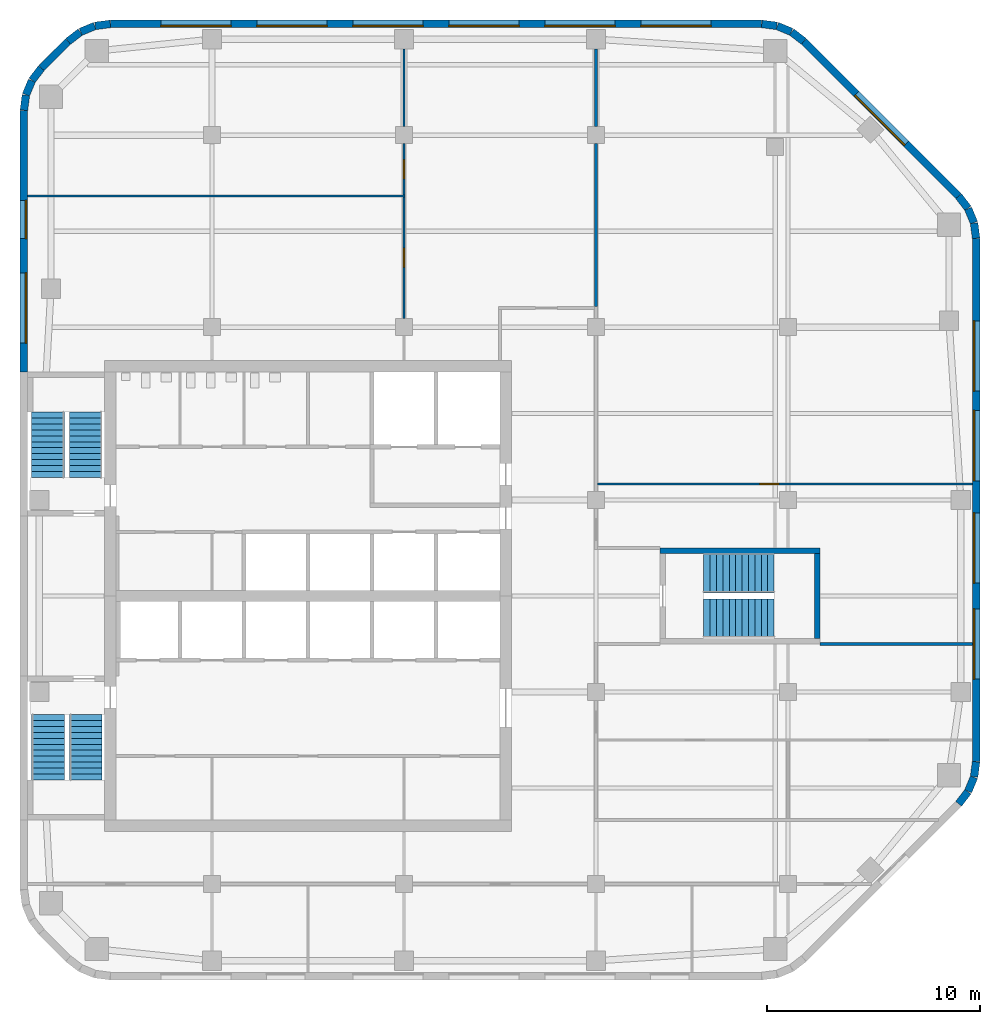
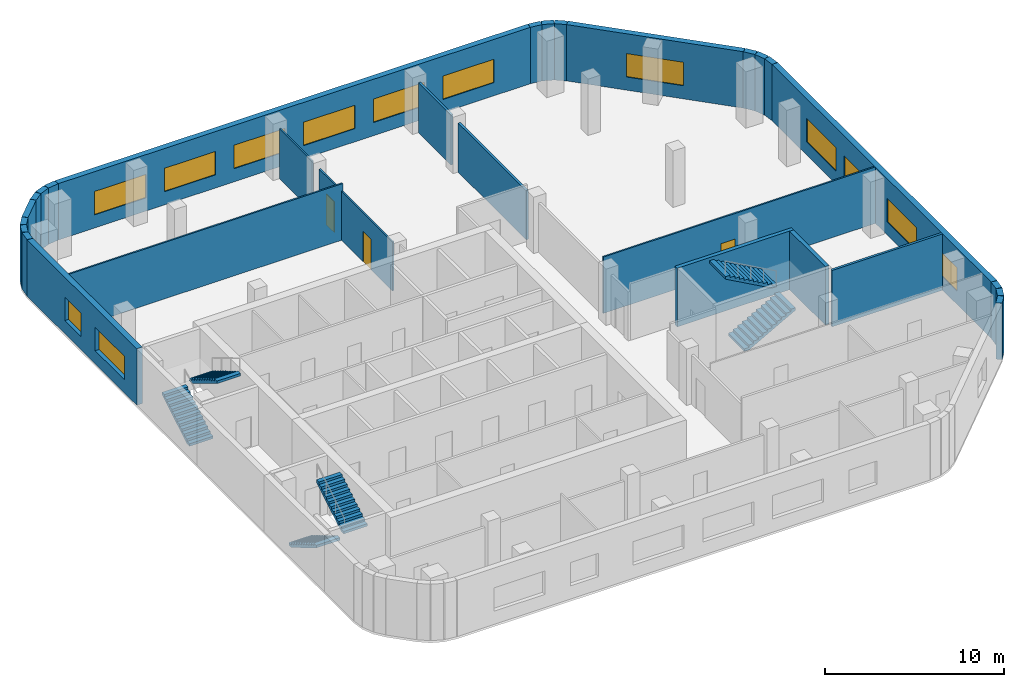
# One storey, part 5 of 7: 30 walls, 13 windows, 6 stair flights, 3 doors, 16 openings, 3 elements without a shape of their own.
"""IFC4 building model written with IfcOpenShell, lengths in metres."""

from ifc_helpers import new_model, si_unit, direction, frame, frame_2d, origin, place, context, subcontext, project, spatial, polyline, rectangle, outline, extrude, material, layer, layer_set, type_object, element, fill, aggregate, save


model = new_model("IFC4")

# Units and contexts
model_context = context("Model", 3, precision=1e-05, world=origin(), true_north=direction((0.0, 1.0)))
body_context = subcontext(model_context, "Body", "Model", "MODEL_VIEW")
ifc_project = project(units=[si_unit("LENGTHUNIT", "METRE"), si_unit("AREAUNIT", "SQUARE_METRE"), si_unit("VOLUMEUNIT", "CUBIC_METRE"), si_unit("PLANEANGLEUNIT", "RADIAN"), si_unit("MASSUNIT", "GRAM", prefix="KILO")], contexts=[model_context])

# Site, building, storey
site_placement = place(None, origin())
site = spatial("IfcSite", under=ifc_project, at=site_placement, CompositionType="ELEMENT")
building_placement = place(site_placement, origin())
building = spatial("IfcBuilding", under=site, at=building_placement, Name="Cinnabar Reach Civic Tower", CompositionType="ELEMENT")
storey_placement = place(building_placement, frame((0.0, 0.0, 218.0)))
storey = spatial("IfcBuildingStorey", under=building, at=storey_placement, Name="L52", CompositionType="ELEMENT", Elevation=218.0)

# Walls
ifc_material_1 = material(Name="Facing brick with insulated backing", Category="masonry")
ifc_layer_1 = layer(ifc_material_1, 0.36)
ifc_layer_set_1 = layer_set([ifc_layer_1], Name="Brick corner wall")
wall_type_1 = type_object("IfcWallType", Name="Brick corner wall", PredefinedType="STANDARD", material=ifc_layer_set_1)
wall_1_placement = place(storey_placement, frame((43.9998, 21.7587, 0.0), z_axis=(0.0, 0.0, 1.0), x_axis=(0.608802368033, 0.793321924995, 0.0)))
element("IfcWall", 1, at=wall_1_placement, inside=storey, type_object=wall_type_1, Name="Brick corner wall", PredefinedType="STANDARD", context=body_context, shape_type="SweptSolid", body=[
    extrude(rectangle(XDim=0.7132, YDim=0.36, at=frame_2d((0.3566, 0.0))), origin(), (0.0, 0.0, 1.0), 3.85),
])
for number, where, z_axis, x_axis, name in (
    (2, (44.4452, 22.3439, 0.0), (0.0, 0.0, 1.0), (0.382702709855, 0.923871547278, 0.0), "Brick corner wall"),
    (3, (44.7239, 23.0244, 0.0), (0.0, 0.0, 1.0), (0.13055608231, 0.99144092581, 0.0), "Brick corner wall"),
    (4, (44.817, 48.2686, 0.0), (0.0, 0.0, 1.0), (-0.13055608231, 0.99144092581, 0.0), "Brick corner wall"),
    (5, (44.7181, 48.9973, 0.0), (0.0, 0.0, 1.0), (-0.382702709855, 0.923871547278, 0.0), "Brick corner wall"),
):
    element("IfcWall", number, at=place(storey_placement, frame(where, z_axis=z_axis, x_axis=x_axis)), inside=storey, type_object=wall_type_1, Name=name, PredefinedType="STANDARD", context=body_context, shape_type="SweptSolid", body=[
        extrude(rectangle(XDim=0.7131, YDim=0.36, at=frame_2d((0.3565, 0.0))), origin(), (0.0, 0.0, 1.0), 3.85),
    ])
for number, where, z_axis, x_axis, name in (
    (6, (44.434, 49.6755, 0.0), (0.0, 0.0, 1.0), (-0.608802368033, 0.793321924995, 0.0), "Brick corner wall"),
    (7, (36.7413, 57.4998, 0.0), (0.0, 0.0, 1.0), (-0.793321924995, 0.608802368033, 0.0), "Brick corner wall"),
):
    element("IfcWall", number, at=place(storey_placement, frame(where, z_axis=z_axis, x_axis=x_axis)), inside=storey, type_object=wall_type_1, Name=name, PredefinedType="STANDARD", context=body_context, shape_type="SweptSolid", body=[
        extrude(rectangle(XDim=0.7132, YDim=0.36, at=frame_2d((0.3566, 0.0))), origin(), (0.0, 0.0, 1.0), 3.85),
    ])
for number, where, z_axis, x_axis, name in (
    (8, (36.1561, 57.9452, 0.0), (0.0, 0.0, 1.0), (-0.923871547278, 0.382702709855, 0.0), "Brick corner wall"),
    (9, (35.4756, 58.2239, 0.0), (0.0, 0.0, 1.0), (-0.99144092581, 0.13055608231, 0.0), "Brick corner wall"),
    (10, (4.2314, 58.317, 0.0), (0.0, 0.0, 1.0), (-0.99144092581, -0.13055608231, 0.0), "Brick corner wall"),
    (11, (3.5027, 58.2181, 0.0), (0.0, 0.0, 1.0), (-0.923871547278, -0.382702709855, 0.0), "Brick corner wall"),
):
    element("IfcWall", number, at=place(storey_placement, frame(where, z_axis=z_axis, x_axis=x_axis)), inside=storey, type_object=wall_type_1, Name=name, PredefinedType="STANDARD", context=body_context, shape_type="SweptSolid", body=[
        extrude(rectangle(XDim=0.7131, YDim=0.36, at=frame_2d((0.3565, 0.0))), origin(), (0.0, 0.0, 1.0), 3.85),
    ])
for number, where, z_axis, x_axis, name in (
    (12, (2.8245, 57.934, 0.0), (0.0, 0.0, 1.0), (-0.793321924995, -0.608802368033, 0.0), "Brick corner wall"),
    (13, (1.0002, 56.2413, 0.0), (0.0, 0.0, 1.0), (-0.608802368033, -0.793321924995, 0.0), "Brick corner wall"),
):
    element("IfcWall", number, at=place(storey_placement, frame(where, z_axis=z_axis, x_axis=x_axis)), inside=storey, type_object=wall_type_1, Name=name, PredefinedType="STANDARD", context=body_context, shape_type="SweptSolid", body=[
        extrude(rectangle(XDim=0.7132, YDim=0.36, at=frame_2d((0.3566, 0.0))), origin(), (0.0, 0.0, 1.0), 3.85),
    ])
for number, where, z_axis, x_axis, name in (
    (14, (0.5548, 55.6561, 0.0), (0.0, 0.0, 1.0), (-0.382702709855, -0.923871547278, 0.0), "Brick corner wall"),
    (15, (0.2761, 54.9756, 0.0), (0.0, 0.0, 1.0), (-0.13055608231, -0.99144092581, 0.0), "Brick corner wall"),
):
    element("IfcWall", number, at=place(storey_placement, frame(where, z_axis=z_axis, x_axis=x_axis)), inside=storey, type_object=wall_type_1, Name=name, PredefinedType="STANDARD", context=body_context, shape_type="SweptSolid", body=[
        extrude(rectangle(XDim=0.7131, YDim=0.36, at=frame_2d((0.3565, 0.0))), origin(), (0.0, 0.0, 1.0), 3.85),
    ])

# Wall, openings, windows
ifc_layer_2 = layer(ifc_material_1, 0.36)
ifc_layer_set_2 = layer_set([ifc_layer_2], Name="Brick pier and spandrel wall")
wall_type_2 = type_object("IfcWallType", Name="Brick pier and spandrel wall", PredefinedType="STANDARD", material=ifc_layer_set_2)
wall_2_placement = place(storey_placement, frame((44.82, 23.7426, 0.0), z_axis=(0.0, 0.0, 1.0), x_axis=(0.0, 1.0, 0.0)))
wall_2 = element("IfcWall", 16, at=wall_2_placement, inside=storey, type_object=wall_type_2, Name="Brick facade wall", PredefinedType="STANDARD", context=body_context, shape_type="SweptSolid", body=[
    extrude(rectangle(XDim=24.5148, YDim=0.36, at=frame_2d((12.2574, 0.0))), origin(), (0.0, 0.0, 1.0), 3.85),
])
opening_1_placement = place(wall_2_placement, frame((3.8574, 0.0, 0.9)))
opening_1 = element("IfcOpeningElement", 17, at=opening_1_placement, cuts=wall_2, Name="Opening W2067", PredefinedType="OPENING", context=body_context, shape_type="SweptSolid", body=[
    extrude(rectangle(XDim=3.3, YDim=1.6, at=frame_2d((1.65, 0.8))), frame((0.0, 0.19, 0.0), z_axis=(0.0, -1.0, 0.0), x_axis=(1.0, 0.0, 0.0)), (0.0, 0.0, 1.0), 0.38),
])
opening_2_placement = place(wall_2_placement, frame((8.3574, 0.0, 0.9)))
opening_2 = element("IfcOpeningElement", 18, at=opening_2_placement, cuts=wall_2, Name="Opening W2068", PredefinedType="OPENING", context=body_context, shape_type="SweptSolid", body=[
    extrude(rectangle(XDim=3.3, YDim=1.6, at=frame_2d((1.65, 0.8))), frame((0.0, 0.19, 0.0), z_axis=(0.0, -1.0, 0.0), x_axis=(1.0, 0.0, 0.0)), (0.0, 0.0, 1.0), 0.38),
])
opening_3_placement = place(wall_2_placement, frame((13.1574, 0.0, 0.9)))
opening_3 = element("IfcOpeningElement", 19, at=opening_3_placement, cuts=wall_2, Name="Opening W2069", PredefinedType="OPENING", context=body_context, shape_type="SweptSolid", body=[
    extrude(rectangle(XDim=3.3, YDim=1.6, at=frame_2d((1.65, 0.8))), frame((0.0, 0.19, 0.0), z_axis=(0.0, -1.0, 0.0), x_axis=(1.0, 0.0, 0.0)), (0.0, 0.0, 1.0), 0.38),
])
opening_4_placement = place(wall_2_placement, frame((17.3574, 0.0, 0.9)))
opening_4 = element("IfcOpeningElement", 20, at=opening_4_placement, cuts=wall_2, Name="Opening W2070", PredefinedType="OPENING", context=body_context, shape_type="SweptSolid", body=[
    extrude(rectangle(XDim=3.3, YDim=1.6, at=frame_2d((1.65, 0.8))), frame((0.0, 0.19, 0.0), z_axis=(0.0, -1.0, 0.0), x_axis=(1.0, 0.0, 0.0)), (0.0, 0.0, 1.0), 0.38),
])
ifc_material_2 = material(Name="Clear double glazing in aluminium frame", Category="aluminium")
window_type_1 = type_object("IfcWindowType", Name="Deep-set window A", PartitioningType="SINGLE_PANEL", PredefinedType="WINDOW", material=ifc_material_2)
window_1_placement = place(opening_1_placement, origin())
window_1 = element("IfcWindow", 21, at=window_1_placement, inside=storey, type_object=window_type_1, Name="Window east face", OverallHeight=1.6, OverallWidth=3.3, PartitioningType="SINGLE_PANEL", PredefinedType="WINDOW", context=body_context, shape_type="SweptSolid", body=[
    extrude(rectangle(XDim=3.3, YDim=1.6, at=frame_2d((1.65, 0.8))), frame((0.0, 0.13, 0.0), z_axis=(0.0, -1.0, 0.0), x_axis=(1.0, 0.0, 0.0)), (0.0, 0.0, 1.0), 0.06),
])
fill(opening_1, window_1)
window_2_placement = place(opening_2_placement, origin())
window_2 = element("IfcWindow", 22, at=window_2_placement, inside=storey, type_object=window_type_1, Name="Window east face", OverallHeight=1.6, OverallWidth=3.3, PartitioningType="SINGLE_PANEL", PredefinedType="WINDOW", context=body_context, shape_type="SweptSolid", body=[
    extrude(rectangle(XDim=3.3, YDim=1.6, at=frame_2d((1.65, 0.8))), frame((0.0, 0.13, 0.0), z_axis=(0.0, -1.0, 0.0), x_axis=(1.0, 0.0, 0.0)), (0.0, 0.0, 1.0), 0.06),
])
fill(opening_2, window_2)
window_3_placement = place(opening_3_placement, origin())
window_3 = element("IfcWindow", 23, at=window_3_placement, inside=storey, type_object=window_type_1, Name="Window east face", OverallHeight=1.6, OverallWidth=3.3, PartitioningType="SINGLE_PANEL", PredefinedType="WINDOW", context=body_context, shape_type="SweptSolid", body=[
    extrude(rectangle(XDim=3.3, YDim=1.6, at=frame_2d((1.65, 0.8))), frame((0.0, 0.13, 0.0), z_axis=(0.0, -1.0, 0.0), x_axis=(1.0, 0.0, 0.0)), (0.0, 0.0, 1.0), 0.06),
])
fill(opening_3, window_3)
window_4_placement = place(opening_4_placement, origin())
window_4 = element("IfcWindow", 24, at=window_4_placement, inside=storey, type_object=window_type_1, Name="Window east face", OverallHeight=1.6, OverallWidth=3.3, PartitioningType="SINGLE_PANEL", PredefinedType="WINDOW", context=body_context, shape_type="SweptSolid", body=[
    extrude(rectangle(XDim=3.3, YDim=1.6, at=frame_2d((1.65, 0.8))), frame((0.0, 0.13, 0.0), z_axis=(0.0, -1.0, 0.0), x_axis=(1.0, 0.0, 0.0)), (0.0, 0.0, 1.0), 0.06),
])
fill(opening_4, window_4)

# Wall, opening, window
wall_3_placement = place(storey_placement, frame((43.994, 50.2514, 0.0), z_axis=(0.0, 0.0, 1.0), x_axis=(-0.707106781187, 0.707106781187, 0.0)))
wall_3 = element("IfcWall", 25, at=wall_3_placement, inside=storey, type_object=wall_type_2, Name="Brick facade wall", PredefinedType="STANDARD", context=body_context, shape_type="SweptSolid", body=[
    extrude(rectangle(XDim=10.2426, YDim=0.36, at=frame_2d((5.1213, 0.0))), origin(), (0.0, 0.0, 1.0), 3.85),
])
opening_5_placement = place(wall_3_placement, frame((3.4713, 0.0, 0.9)))
opening_5 = element("IfcOpeningElement", 26, at=opening_5_placement, cuts=wall_3, Name="Opening W2071", PredefinedType="OPENING", context=body_context, shape_type="SweptSolid", body=[
    extrude(rectangle(XDim=3.3, YDim=1.6, at=frame_2d((1.65, 0.8))), frame((0.0, 0.19, 0.0), z_axis=(0.0, -1.0, 0.0), x_axis=(1.0, 0.0, 0.0)), (0.0, 0.0, 1.0), 0.38),
])
window_5_placement = place(opening_5_placement, origin())
window_5 = element("IfcWindow", 27, at=window_5_placement, inside=storey, type_object=window_type_1, Name="Window northeast face", OverallHeight=1.6, OverallWidth=3.3, PartitioningType="SINGLE_PANEL", PredefinedType="WINDOW", context=body_context, shape_type="SweptSolid", body=[
    extrude(rectangle(XDim=3.3, YDim=1.6, at=frame_2d((1.65, 0.8))), frame((0.0, 0.13, 0.0), z_axis=(0.0, -1.0, 0.0), x_axis=(1.0, 0.0, 0.0)), (0.0, 0.0, 1.0), 0.06),
])
fill(opening_5, window_5)

# Wall, openings, windows
wall_4_placement = place(storey_placement, frame((34.7574, 58.32, 0.0), z_axis=(0.0, 0.0, 1.0), x_axis=(-1.0, 0.0, 0.0)))
wall_4 = element("IfcWall", 28, at=wall_4_placement, inside=storey, type_object=wall_type_2, Name="Brick facade wall", PredefinedType="STANDARD", context=body_context, shape_type="SweptSolid", body=[
    extrude(rectangle(XDim=30.5148, YDim=0.36, at=frame_2d((15.2574, 0.0))), origin(), (0.0, 0.0, 1.0), 3.85),
])
opening_6_placement = place(wall_4_placement, frame((2.3574, 0.0, 0.9)))
opening_6 = element("IfcOpeningElement", 29, at=opening_6_placement, cuts=wall_4, Name="Opening W2072", PredefinedType="OPENING", context=body_context, shape_type="SweptSolid", body=[
    extrude(rectangle(XDim=3.3, YDim=1.6, at=frame_2d((1.65, 0.8))), frame((0.0, 0.19, 0.0), z_axis=(0.0, -1.0, 0.0), x_axis=(1.0, 0.0, 0.0)), (0.0, 0.0, 1.0), 0.38),
])
opening_7_placement = place(wall_4_placement, frame((6.8574, 0.0, 0.9)))
opening_7 = element("IfcOpeningElement", 30, at=opening_7_placement, cuts=wall_4, Name="Opening W2073", PredefinedType="OPENING", context=body_context, shape_type="SweptSolid", body=[
    extrude(rectangle(XDim=3.3, YDim=1.6, at=frame_2d((1.65, 0.8))), frame((0.0, 0.19, 0.0), z_axis=(0.0, -1.0, 0.0), x_axis=(1.0, 0.0, 0.0)), (0.0, 0.0, 1.0), 0.38),
])
opening_8_placement = place(wall_4_placement, frame((11.3574, 0.0, 0.9)))
opening_8 = element("IfcOpeningElement", 31, at=opening_8_placement, cuts=wall_4, Name="Opening W2074", PredefinedType="OPENING", context=body_context, shape_type="SweptSolid", body=[
    extrude(rectangle(XDim=3.3, YDim=1.6, at=frame_2d((1.65, 0.8))), frame((0.0, 0.19, 0.0), z_axis=(0.0, -1.0, 0.0), x_axis=(1.0, 0.0, 0.0)), (0.0, 0.0, 1.0), 0.38),
])
opening_9_placement = place(wall_4_placement, frame((15.8574, 0.0, 0.9)))
opening_9 = element("IfcOpeningElement", 32, at=opening_9_placement, cuts=wall_4, Name="Opening W2075", PredefinedType="OPENING", context=body_context, shape_type="SweptSolid", body=[
    extrude(rectangle(XDim=3.3, YDim=1.6, at=frame_2d((1.65, 0.8))), frame((0.0, 0.19, 0.0), z_axis=(0.0, -1.0, 0.0), x_axis=(1.0, 0.0, 0.0)), (0.0, 0.0, 1.0), 0.38),
])
opening_10_placement = place(wall_4_placement, frame((20.3574, 0.0, 0.9)))
opening_10 = element("IfcOpeningElement", 33, at=opening_10_placement, cuts=wall_4, Name="Opening W2076", PredefinedType="OPENING", context=body_context, shape_type="SweptSolid", body=[
    extrude(rectangle(XDim=3.3, YDim=1.6, at=frame_2d((1.65, 0.8))), frame((0.0, 0.19, 0.0), z_axis=(0.0, -1.0, 0.0), x_axis=(1.0, 0.0, 0.0)), (0.0, 0.0, 1.0), 0.38),
])
opening_11_placement = place(wall_4_placement, frame((24.8574, 0.0, 0.9)))
opening_11 = element("IfcOpeningElement", 34, at=opening_11_placement, cuts=wall_4, Name="Opening W2077", PredefinedType="OPENING", context=body_context, shape_type="SweptSolid", body=[
    extrude(rectangle(XDim=3.3, YDim=1.6, at=frame_2d((1.65, 0.8))), frame((0.0, 0.19, 0.0), z_axis=(0.0, -1.0, 0.0), x_axis=(1.0, 0.0, 0.0)), (0.0, 0.0, 1.0), 0.38),
])
window_6_placement = place(opening_6_placement, origin())
window_6 = element("IfcWindow", 35, at=window_6_placement, inside=storey, type_object=window_type_1, Name="Window north face", OverallHeight=1.6, OverallWidth=3.3, PartitioningType="SINGLE_PANEL", PredefinedType="WINDOW", context=body_context, shape_type="SweptSolid", body=[
    extrude(rectangle(XDim=3.3, YDim=1.6, at=frame_2d((1.65, 0.8))), frame((0.0, 0.13, 0.0), z_axis=(0.0, -1.0, 0.0), x_axis=(1.0, 0.0, 0.0)), (0.0, 0.0, 1.0), 0.06),
])
fill(opening_6, window_6)
window_7_placement = place(opening_7_placement, origin())
window_7 = element("IfcWindow", 36, at=window_7_placement, inside=storey, type_object=window_type_1, Name="Window north face", OverallHeight=1.6, OverallWidth=3.3, PartitioningType="SINGLE_PANEL", PredefinedType="WINDOW", context=body_context, shape_type="SweptSolid", body=[
    extrude(rectangle(XDim=3.3, YDim=1.6, at=frame_2d((1.65, 0.8))), frame((0.0, 0.13, 0.0), z_axis=(0.0, -1.0, 0.0), x_axis=(1.0, 0.0, 0.0)), (0.0, 0.0, 1.0), 0.06),
])
fill(opening_7, window_7)
window_8_placement = place(opening_8_placement, origin())
window_8 = element("IfcWindow", 37, at=window_8_placement, inside=storey, type_object=window_type_1, Name="Window north face", OverallHeight=1.6, OverallWidth=3.3, PartitioningType="SINGLE_PANEL", PredefinedType="WINDOW", context=body_context, shape_type="SweptSolid", body=[
    extrude(rectangle(XDim=3.3, YDim=1.6, at=frame_2d((1.65, 0.8))), frame((0.0, 0.13, 0.0), z_axis=(0.0, -1.0, 0.0), x_axis=(1.0, 0.0, 0.0)), (0.0, 0.0, 1.0), 0.06),
])
fill(opening_8, window_8)
window_9_placement = place(opening_9_placement, origin())
window_9 = element("IfcWindow", 38, at=window_9_placement, inside=storey, type_object=window_type_1, Name="Window north face", OverallHeight=1.6, OverallWidth=3.3, PartitioningType="SINGLE_PANEL", PredefinedType="WINDOW", context=body_context, shape_type="SweptSolid", body=[
    extrude(rectangle(XDim=3.3, YDim=1.6, at=frame_2d((1.65, 0.8))), frame((0.0, 0.13, 0.0), z_axis=(0.0, -1.0, 0.0), x_axis=(1.0, 0.0, 0.0)), (0.0, 0.0, 1.0), 0.06),
])
fill(opening_9, window_9)
window_10_placement = place(opening_10_placement, origin())
window_10 = element("IfcWindow", 39, at=window_10_placement, inside=storey, type_object=window_type_1, Name="Window north face", OverallHeight=1.6, OverallWidth=3.3, PartitioningType="SINGLE_PANEL", PredefinedType="WINDOW", context=body_context, shape_type="SweptSolid", body=[
    extrude(rectangle(XDim=3.3, YDim=1.6, at=frame_2d((1.65, 0.8))), frame((0.0, 0.13, 0.0), z_axis=(0.0, -1.0, 0.0), x_axis=(1.0, 0.0, 0.0)), (0.0, 0.0, 1.0), 0.06),
])
fill(opening_10, window_10)
window_11_placement = place(opening_11_placement, origin())
window_11 = element("IfcWindow", 40, at=window_11_placement, inside=storey, type_object=window_type_1, Name="Window north face", OverallHeight=1.6, OverallWidth=3.3, PartitioningType="SINGLE_PANEL", PredefinedType="WINDOW", context=body_context, shape_type="SweptSolid", body=[
    extrude(rectangle(XDim=3.3, YDim=1.6, at=frame_2d((1.65, 0.8))), frame((0.0, 0.13, 0.0), z_axis=(0.0, -1.0, 0.0), x_axis=(1.0, 0.0, 0.0)), (0.0, 0.0, 1.0), 0.06),
])
fill(opening_11, window_11)

# Wall
wall_5_placement = place(storey_placement, frame((2.2486, 57.494, 0.0), z_axis=(0.0, 0.0, 1.0), x_axis=(-0.707106781187, -0.707106781187, 0.0)))
element("IfcWall", 41, at=wall_5_placement, inside=storey, type_object=wall_type_2, Name="Brick facade wall", PredefinedType="STANDARD", context=body_context, shape_type="SweptSolid", body=[
    extrude(rectangle(XDim=1.7573, YDim=0.36, at=frame_2d((0.8787, 0.0))), origin(), (0.0, 0.0, 1.0), 3.85),
])

# Wall, openings, windows
wall_6_placement = place(storey_placement, frame((0.18, 54.2574, 0.0), z_axis=(0.0, 0.0, 1.0), x_axis=(0.0, -1.0, 0.0)))
wall_6 = element("IfcWall", 42, at=wall_6_placement, inside=storey, type_object=wall_type_2, Name="Brick facade wall", PredefinedType="STANDARD", context=body_context, shape_type="SweptSolid", body=[
    extrude(rectangle(XDim=12.2574, YDim=0.36, at=frame_2d((6.1287, 0.0))), origin(), (0.0, 0.0, 1.0), 3.85),
])
opening_12_placement = place(wall_6_placement, frame((4.2074, 0.0, 0.9)))
opening_12 = element("IfcOpeningElement", 43, at=opening_12_placement, cuts=wall_6, Name="Opening W2078", PredefinedType="OPENING", context=body_context, shape_type="SweptSolid", body=[
    extrude(rectangle(XDim=1.8, YDim=1.6, at=frame_2d((0.9, 0.8))), frame((0.0, 0.19, 0.0), z_axis=(0.0, -1.0, 0.0), x_axis=(1.0, 0.0, 0.0)), (0.0, 0.0, 1.0), 0.38),
])
opening_13_placement = place(wall_6_placement, frame((7.6074, 0.0, 0.9)))
opening_13 = element("IfcOpeningElement", 44, at=opening_13_placement, cuts=wall_6, Name="Opening W2079", PredefinedType="OPENING", context=body_context, shape_type="SweptSolid", body=[
    extrude(rectangle(XDim=3.3, YDim=1.6, at=frame_2d((1.65, 0.8))), frame((0.0, 0.19, 0.0), z_axis=(0.0, -1.0, 0.0), x_axis=(1.0, 0.0, 0.0)), (0.0, 0.0, 1.0), 0.38),
])
window_12_placement = place(opening_13_placement, origin())
window_12 = element("IfcWindow", 45, at=window_12_placement, inside=storey, type_object=window_type_1, Name="Window west face", OverallHeight=1.6, OverallWidth=3.3, PartitioningType="SINGLE_PANEL", PredefinedType="WINDOW", context=body_context, shape_type="SweptSolid", body=[
    extrude(rectangle(XDim=3.3, YDim=1.6, at=frame_2d((1.65, 0.8))), frame((0.0, 0.13, 0.0), z_axis=(0.0, -1.0, 0.0), x_axis=(1.0, 0.0, 0.0)), (0.0, 0.0, 1.0), 0.06),
])
fill(opening_13, window_12)
window_type_2 = type_object("IfcWindowType", Name="Deep-set window D", PartitioningType="SINGLE_PANEL", PredefinedType="WINDOW", material=ifc_material_2)
window_13_placement = place(opening_12_placement, origin())
window_13 = element("IfcWindow", 46, at=window_13_placement, inside=storey, type_object=window_type_2, Name="Window west face", OverallHeight=1.6, OverallWidth=1.8, PartitioningType="SINGLE_PANEL", PredefinedType="WINDOW", context=body_context, shape_type="SweptSolid", body=[
    extrude(rectangle(XDim=1.8, YDim=1.6, at=frame_2d((0.9, 0.8))), frame((0.0, 0.13, 0.0), z_axis=(0.0, -1.0, 0.0), x_axis=(1.0, 0.0, 0.0)), (0.0, 0.0, 1.0), 0.06),
])
fill(opening_12, window_13)

# Wall, opening, door
ifc_material_3 = material(Name="Gypsum board on steel studs", Category="steel")
ifc_layer_3 = layer(ifc_material_3, 0.1)
ifc_layer_set_3 = layer_set([ifc_layer_3], Name="Partition wall 100 T1")
wall_type_3 = type_object("IfcWallType", Name="Partition wall 100 T1", PredefinedType="PARTITIONING", material=ifc_layer_set_3)
wall_7_placement = place(storey_placement, frame((27.075, 36.75, 0.0), z_axis=(0.0, 0.0, 1.0), x_axis=(1.0, 0.0, 0.0)))
wall_7 = element("IfcWall", 47, at=wall_7_placement, inside=storey, type_object=wall_type_3, Name="Partition wall 44", PredefinedType="PARTITIONING", context=body_context, shape_type="SweptSolid", body=[
    extrude(rectangle(XDim=17.565, YDim=0.1, at=frame_2d((8.7825, 0.0))), origin(), (0.0, 0.0, 1.0), 3.85),
])
opening_14_placement = place(wall_7_placement, frame((7.6, 0.0, 0.0)))
opening_14 = element("IfcOpeningElement", 48, at=opening_14_placement, cuts=wall_7, Name="Opening D5137", PredefinedType="OPENING", context=body_context, shape_type="SweptSolid", body=[
    extrude(rectangle(XDim=0.9, YDim=2.1, at=frame_2d((0.45, 1.05))), frame((0.0, 0.06, 0.0), z_axis=(0.0, -1.0, 0.0), x_axis=(1.0, 0.0, 0.0)), (0.0, 0.0, 1.0), 0.12),
])
ifc_material_4 = material(Name="Timber door leaf in steel frame", Category="steel")
door_type = type_object("IfcDoorType", Name="Single swing door 900 x 2100 T1", OperationType="SINGLE_SWING_LEFT", PredefinedType="DOOR", material=ifc_material_4)
door_1_placement = place(opening_14_placement, frame((0.9, 0.0, 0.0), z_axis=(0.0, 0.0, 1.0), x_axis=(-1.0, 0.0, 0.0)))
door_1 = element("IfcDoor", 49, at=door_1_placement, inside=storey, type_object=door_type, Name="Door D5137", OperationType="SINGLE_SWING_LEFT", OverallHeight=2.1, OverallWidth=0.9, PredefinedType="DOOR", context=body_context, shape_type="SweptSolid", body=[
    extrude(rectangle(XDim=0.9, YDim=2.1, at=frame_2d((0.45, 1.05))), frame((0.0, 0.025, 0.0), z_axis=(0.0, -1.0, 0.0), x_axis=(1.0, 0.0, 0.0)), (0.0, 0.0, 1.0), 0.05),
])
fill(opening_14, door_1)

# Wall
wall_8_placement = place(storey_placement, frame((0.36, 50.25, 0.0), z_axis=(0.0, 0.0, 1.0), x_axis=(1.0, 0.0, 0.0)))
element("IfcWall", 50, at=wall_8_placement, inside=storey, type_object=wall_type_3, Name="Partition wall 45", PredefinedType="PARTITIONING", context=body_context, shape_type="SweptSolid", body=[
    extrude(rectangle(XDim=17.69, YDim=0.1, at=frame_2d((8.845, 0.0))), origin(), (0.0, 0.0, 1.0), 3.85),
])

# Wall, opening, door
wall_9_placement = place(storey_placement, frame((18.0, 50.3, 0.0), z_axis=(0.0, 0.0, 1.0), x_axis=(0.0, 1.0, 0.0)))
wall_9 = element("IfcWall", 51, at=wall_9_placement, inside=storey, type_object=wall_type_3, Name="Partition wall 47", PredefinedType="PARTITIONING", context=body_context, shape_type="SweptSolid", body=[
    extrude(rectangle(XDim=2.4, YDim=0.1, at=frame_2d((1.2, 0.0))), origin(), (0.0, 0.0, 1.0), 3.35),
])
opening_15_placement = place(wall_9_placement, frame((0.75, 0.0, 0.0)))
opening_15 = element("IfcOpeningElement", 52, at=opening_15_placement, cuts=wall_9, Name="Opening D5146", PredefinedType="OPENING", context=body_context, shape_type="SweptSolid", body=[
    extrude(rectangle(XDim=0.9, YDim=2.1, at=frame_2d((0.45, 1.05))), frame((0.0, 0.06, 0.0), z_axis=(0.0, -1.0, 0.0), x_axis=(1.0, 0.0, 0.0)), (0.0, 0.0, 1.0), 0.12),
])
door_2_placement = place(opening_15_placement, frame((0.9, 0.0, 0.0), z_axis=(0.0, 0.0, 1.0), x_axis=(-1.0, 0.0, 0.0)))
door_2 = element("IfcDoor", 53, at=door_2_placement, inside=storey, type_object=door_type, Name="Door D5146", OperationType="SINGLE_SWING_RIGHT", OverallHeight=2.1, OverallWidth=0.9, PredefinedType="DOOR", context=body_context, shape_type="SweptSolid", body=[
    extrude(rectangle(XDim=0.9, YDim=2.1, at=frame_2d((0.45, 1.05))), frame((0.0, 0.025, 0.0), z_axis=(0.0, -1.0, 0.0), x_axis=(1.0, 0.0, 0.0)), (0.0, 0.0, 1.0), 0.05),
])
fill(opening_15, door_2)

wall_10_placement = place(storey_placement, frame((18.0, 44.5, 0.0), z_axis=(0.0, 0.0, 1.0), x_axis=(0.0, 1.0, 0.0)))
wall_10 = element("IfcWall", 54, at=wall_10_placement, inside=storey, type_object=wall_type_3, Name="Partition wall 48", PredefinedType="PARTITIONING", context=body_context, shape_type="SweptSolid", body=[
    extrude(rectangle(XDim=5.7, YDim=0.1, at=frame_2d((2.85, 0.0))), origin(), (0.0, 0.0, 1.0), 3.35),
])
opening_16_placement = place(wall_10_placement, frame((2.4, 0.0, 0.0)))
opening_16 = element("IfcOpeningElement", 55, at=opening_16_placement, cuts=wall_10, Name="Opening D5145", PredefinedType="OPENING", context=body_context, shape_type="SweptSolid", body=[
    extrude(rectangle(XDim=0.9, YDim=2.1, at=frame_2d((0.45, 1.05))), frame((0.0, 0.06, 0.0), z_axis=(0.0, -1.0, 0.0), x_axis=(1.0, 0.0, 0.0)), (0.0, 0.0, 1.0), 0.12),
])
door_3_placement = place(opening_16_placement, frame((0.9, 0.0, 0.0), z_axis=(0.0, 0.0, 1.0), x_axis=(-1.0, 0.0, 0.0)))
door_3 = element("IfcDoor", 56, at=door_3_placement, inside=storey, type_object=door_type, Name="Door D5145", OperationType="SINGLE_SWING_LEFT", OverallHeight=2.1, OverallWidth=0.9, PredefinedType="DOOR", context=body_context, shape_type="SweptSolid", body=[
    extrude(rectangle(XDim=0.9, YDim=2.1, at=frame_2d((0.45, 1.05))), frame((0.0, 0.025, 0.0), z_axis=(0.0, -1.0, 0.0), x_axis=(1.0, 0.0, 0.0)), (0.0, 0.0, 1.0), 0.05),
])
fill(opening_16, door_3)

# Walls
wall_11_placement = place(storey_placement, frame((18.0, 53.5, 0.0), z_axis=(0.0, 0.0, 1.0), x_axis=(0.0, 1.0, 0.0)))
element("IfcWall", 57, at=wall_11_placement, inside=storey, type_object=wall_type_3, Name="Partition wall 49", PredefinedType="PARTITIONING", context=body_context, shape_type="SweptSolid", body=[
    extrude(rectangle(XDim=3.65, YDim=0.1, at=frame_2d((1.825, 0.0))), origin(), (0.0, 0.0, 1.0), 3.41),
])
ifc_material_5 = material(Name="Concrete C60", Category="concrete")
ifc_layer_4 = layer(ifc_material_5, 0.25)
ifc_layer_set_4 = layer_set([ifc_layer_4], Name="Stair shaft wall 250 EI 120")
wall_type_4 = type_object("IfcWallType", Name="Stair shaft wall 250 EI 120", PredefinedType="SOLIDWALL", material=ifc_layer_set_4)
wall_12_placement = place(storey_placement, frame((37.5, 33.625, 0.0), z_axis=(0.0, 0.0, 1.0), x_axis=(-1.0, 0.0, 0.0)))
element("IfcWall", 58, at=wall_12_placement, inside=storey, type_object=wall_type_4, Name="Stair shaft wall T1-S3 L52", PredefinedType="SOLIDWALL", context=body_context, shape_type="SweptSolid", body=[
    extrude(rectangle(XDim=7.5, YDim=0.25, at=frame_2d((3.75, 0.0))), origin(), (0.0, 0.0, 1.0), 4.0),
])
wall_13_placement = place(storey_placement, frame((37.375, 29.5, 0.0), z_axis=(0.0, 0.0, 1.0), x_axis=(0.0, 1.0, 0.0)))
element("IfcWall", 59, at=wall_13_placement, inside=storey, type_object=wall_type_4, Name="Stair shaft wall T1-S3 L52", PredefinedType="SOLIDWALL", context=body_context, shape_type="SweptSolid", body=[
    extrude(rectangle(XDim=4.0, YDim=0.25, at=frame_2d((2.0, 0.0))), origin(), (0.0, 0.0, 1.0), 4.0),
])
ifc_material_6 = material(Name="Gypsum board on steel studs, double layer", Category="steel")
ifc_layer_5 = layer(ifc_material_6, 0.15)
ifc_layer_set_5 = layer_set([ifc_layer_5], Name="Tenancy separating wall 150 T1")
wall_type_5 = type_object("IfcWallType", Name="Tenancy separating wall 150 T1", PredefinedType="PARTITIONING", material=ifc_layer_set_5)
wall_14_placement = place(storey_placement, frame((27.0, 45.075, 0.0), z_axis=(0.0, 0.0, 1.0), x_axis=(0.0, 1.0, 0.0)))
element("IfcWall", 60, at=wall_14_placement, inside=storey, type_object=wall_type_5, Name="Tenancy separating wall 40", PredefinedType="PARTITIONING", context=body_context, shape_type="SweptSolid", body=[
    extrude(rectangle(XDim=7.625, YDim=0.15, at=frame_2d((3.8125, 0.0))), origin(), (0.0, 0.0, 1.0), 3.35),
])
wall_15_placement = place(storey_placement, frame((37.5, 29.25, 0.0), z_axis=(0.0, 0.0, 1.0), x_axis=(1.0, 0.0, 0.0)))
element("IfcWall", 61, at=wall_15_placement, inside=storey, type_object=wall_type_5, Name="Tenancy separating wall 41", PredefinedType="PARTITIONING", context=body_context, shape_type="SweptSolid", body=[
    extrude(rectangle(XDim=7.14, YDim=0.15, at=frame_2d((3.57, 0.0))), origin(), (0.0, 0.0, 1.0), 3.85),
])
wall_16_placement = place(storey_placement, frame((27.0, 53.5, 0.0), z_axis=(0.0, 0.0, 1.0), x_axis=(0.0, 1.0, 0.0)))
element("IfcWall", 62, at=wall_16_placement, inside=storey, type_object=wall_type_5, Name="Tenancy separating wall 42", PredefinedType="PARTITIONING", context=body_context, shape_type="SweptSolid", body=[
    extrude(rectangle(XDim=3.65, YDim=0.15, at=frame_2d((1.825, 0.0))), origin(), (0.0, 0.0, 1.0), 3.41),
])

# Stair, stair flights
ifc_material_7 = material(Name="Concrete C40/50", Category="concrete")
stair_type = type_object("IfcStairType", Name="T1 Exit stair, half-turn", PredefinedType="HALF_TURN_STAIR", material=ifc_material_7)
stair_1_placement = place(storey_placement, origin())
stair_1 = element("IfcStair", 63, at=stair_1_placement, inside=storey, type_object=stair_type, Name="Stair T1-S1", PredefinedType="HALF_TURN_STAIR")
stair_flight_type = type_object("IfcStairFlightType", Name="T1 Stair flight, concrete", PredefinedType="STRAIGHT", material=ifc_material_7)
stair_flight_1_placement = place(storey_placement, frame((1.3125, 25.95, 0.0), z_axis=(0.0, 0.0, 1.0), x_axis=(0.0, -1.0, 0.0)))
stair_flight_1 = element("IfcStairFlight", 64, at=stair_flight_1_placement, type_object=stair_flight_type, Name="T1-S1 flight 1", NumberOfRisers=12, NumberOfTreads=11, PredefinedType="STRAIGHT", RiserHeight=0.166666667, TreadLength=0.28, context=body_context, shape_type="SweptSolid", body=[
    extrude(outline(polyline([(0.0, 0.0), (0.0, 0.1667), (0.28, 0.1667), (0.28, 0.3333), (0.56, 0.3333), (0.56, 0.5), (0.84, 0.5), (0.84, 0.6667), (1.12, 0.6667), (1.12, 0.8333), (1.4, 0.8333), (1.4, 1.0), (1.68, 1.0), (1.68, 1.1667), (1.96, 1.1667), (1.96, 1.3333), (2.24, 1.3333), (2.24, 1.5), (2.52, 1.5), (2.52, 1.6667), (2.8, 1.6667), (2.8, 1.8333), (3.08, 1.8333), (3.08, 2.0), (3.08, 1.6588), (0.2933, 0.0), (0.0, 0.0)])), frame((0.0, 0.7625, 0.0), z_axis=(0.0, -1.0, 0.0), x_axis=(1.0, 0.0, 0.0)), (0.0, 0.0, 1.0), 1.525),
])
stair_flight_2_placement = place(storey_placement, frame((3.0875, 22.87, 2.0), z_axis=(0.0, 0.0, 1.0), x_axis=(0.0, 1.0, 0.0)))
stair_flight_2 = element("IfcStairFlight", 65, at=stair_flight_2_placement, type_object=stair_flight_type, Name="T1-S1 flight 2", NumberOfRisers=12, NumberOfTreads=11, PredefinedType="STRAIGHT", RiserHeight=0.166666667, TreadLength=0.28, context=body_context, shape_type="SweptSolid", body=[
    extrude(outline(polyline([(0.0, 0.0), (0.0, 0.1667), (0.28, 0.1667), (0.28, 0.3333), (0.56, 0.3333), (0.56, 0.5), (0.84, 0.5), (0.84, 0.6667), (1.12, 0.6667), (1.12, 0.8333), (1.4, 0.8333), (1.4, 1.0), (1.68, 1.0), (1.68, 1.1667), (1.96, 1.1667), (1.96, 1.3333), (2.24, 1.3333), (2.24, 1.5), (2.52, 1.5), (2.52, 1.6667), (2.8, 1.6667), (2.8, 1.8333), (3.08, 1.8333), (3.08, 2.0), (3.08, 1.6588), (0.2933, 0.0), (0.0, 0.0)])), frame((0.0, 0.7625, 0.0), z_axis=(0.0, -1.0, 0.0), x_axis=(1.0, 0.0, 0.0)), (0.0, 0.0, 1.0), 1.525),
])
aggregate(stair_1, [stair_flight_1, stair_flight_2])

stair_2_placement = place(storey_placement, origin())
stair_2 = element("IfcStair", 66, at=stair_2_placement, inside=storey, type_object=stair_type, Name="Stair T1-S2", PredefinedType="HALF_TURN_STAIR")
stair_flight_3_placement = place(storey_placement, frame((1.3125, 37.05, 0.0), z_axis=(0.0, 0.0, 1.0), x_axis=(0.0, 1.0, 0.0)))
stair_flight_3 = element("IfcStairFlight", 67, at=stair_flight_3_placement, type_object=stair_flight_type, Name="T1-S2 flight 1", NumberOfRisers=12, NumberOfTreads=11, PredefinedType="STRAIGHT", RiserHeight=0.166666667, TreadLength=0.28, context=body_context, shape_type="SweptSolid", body=[
    extrude(outline(polyline([(0.0, 0.0), (0.0, 0.1667), (0.28, 0.1667), (0.28, 0.3333), (0.56, 0.3333), (0.56, 0.5), (0.84, 0.5), (0.84, 0.6667), (1.12, 0.6667), (1.12, 0.8333), (1.4, 0.8333), (1.4, 1.0), (1.68, 1.0), (1.68, 1.1667), (1.96, 1.1667), (1.96, 1.3333), (2.24, 1.3333), (2.24, 1.5), (2.52, 1.5), (2.52, 1.6667), (2.8, 1.6667), (2.8, 1.8333), (3.08, 1.8333), (3.08, 2.0), (3.08, 1.6588), (0.2933, 0.0), (0.0, 0.0)])), frame((0.0, 0.7625, 0.0), z_axis=(0.0, -1.0, 0.0), x_axis=(1.0, 0.0, 0.0)), (0.0, 0.0, 1.0), 1.525),
])
stair_flight_4_placement = place(storey_placement, frame((3.0875, 40.13, 2.0), z_axis=(0.0, 0.0, 1.0), x_axis=(0.0, -1.0, 0.0)))
stair_flight_4 = element("IfcStairFlight", 68, at=stair_flight_4_placement, type_object=stair_flight_type, Name="T1-S2 flight 2", NumberOfRisers=12, NumberOfTreads=11, PredefinedType="STRAIGHT", RiserHeight=0.166666667, TreadLength=0.28, context=body_context, shape_type="SweptSolid", body=[
    extrude(outline(polyline([(0.0, 0.0), (0.0, 0.1667), (0.28, 0.1667), (0.28, 0.3333), (0.56, 0.3333), (0.56, 0.5), (0.84, 0.5), (0.84, 0.6667), (1.12, 0.6667), (1.12, 0.8333), (1.4, 0.8333), (1.4, 1.0), (1.68, 1.0), (1.68, 1.1667), (1.96, 1.1667), (1.96, 1.3333), (2.24, 1.3333), (2.24, 1.5), (2.52, 1.5), (2.52, 1.6667), (2.8, 1.6667), (2.8, 1.8333), (3.08, 1.8333), (3.08, 2.0), (3.08, 1.6588), (0.2933, 0.0), (0.0, 0.0)])), frame((0.0, 0.7625, 0.0), z_axis=(0.0, -1.0, 0.0), x_axis=(1.0, 0.0, 0.0)), (0.0, 0.0, 1.0), 1.525),
])
aggregate(stair_2, [stair_flight_3, stair_flight_4])

stair_3_placement = place(storey_placement, origin())
stair_3 = element("IfcStair", 69, at=stair_3_placement, inside=storey, type_object=stair_type, Name="Stair T1-S3", PredefinedType="HALF_TURN_STAIR")
stair_flight_5_placement = place(storey_placement, frame((32.05, 30.45, 0.0), z_axis=(0.0, 0.0, 1.0), x_axis=(1.0, 0.0, 0.0)))
stair_flight_5 = element("IfcStairFlight", 70, at=stair_flight_5_placement, type_object=stair_flight_type, Name="T1-S3 flight 1", NumberOfRisers=12, NumberOfTreads=11, PredefinedType="STRAIGHT", RiserHeight=0.166666667, TreadLength=0.3, context=body_context, shape_type="SweptSolid", body=[
    extrude(outline(polyline([(0.0, 0.0), (0.0, 0.1667), (0.3, 0.1667), (0.3, 0.3333), (0.6, 0.3333), (0.6, 0.5), (0.9, 0.5), (0.9, 0.6667), (1.2, 0.6667), (1.2, 0.8333), (1.5, 0.8333), (1.5, 1.0), (1.8, 1.0), (1.8, 1.1667), (2.1, 1.1667), (2.1, 1.3333), (2.4, 1.3333), (2.4, 1.5), (2.7, 1.5), (2.7, 1.6667), (3.0, 1.6667), (3.0, 1.8333), (3.3, 1.8333), (3.3, 2.0), (3.3, 1.6617), (0.3089, 0.0), (0.0, 0.0)])), frame((0.0, 0.9, 0.0), z_axis=(0.0, -1.0, 0.0), x_axis=(1.0, 0.0, 0.0)), (0.0, 0.0, 1.0), 1.8),
])
stair_flight_6_placement = place(storey_placement, frame((35.35, 32.55, 2.0), z_axis=(0.0, 0.0, 1.0), x_axis=(-1.0, 0.0, 0.0)))
stair_flight_6 = element("IfcStairFlight", 71, at=stair_flight_6_placement, type_object=stair_flight_type, Name="T1-S3 flight 2", NumberOfRisers=12, NumberOfTreads=11, PredefinedType="STRAIGHT", RiserHeight=0.166666667, TreadLength=0.3, context=body_context, shape_type="SweptSolid", body=[
    extrude(outline(polyline([(0.0, 0.0), (0.0, 0.1667), (0.3, 0.1667), (0.3, 0.3333), (0.6, 0.3333), (0.6, 0.5), (0.9, 0.5), (0.9, 0.6667), (1.2, 0.6667), (1.2, 0.8333), (1.5, 0.8333), (1.5, 1.0), (1.8, 1.0), (1.8, 1.1667), (2.1, 1.1667), (2.1, 1.3333), (2.4, 1.3333), (2.4, 1.5), (2.7, 1.5), (2.7, 1.6667), (3.0, 1.6667), (3.0, 1.8333), (3.3, 1.8333), (3.3, 2.0), (3.3, 1.6617), (0.3089, 0.0), (0.0, 0.0)])), frame((0.0, 0.9, 0.0), z_axis=(0.0, -1.0, 0.0), x_axis=(1.0, 0.0, 0.0)), (0.0, 0.0, 1.0), 1.8),
])
aggregate(stair_3, [stair_flight_5, stair_flight_6])

save(model, "model.ifc")
